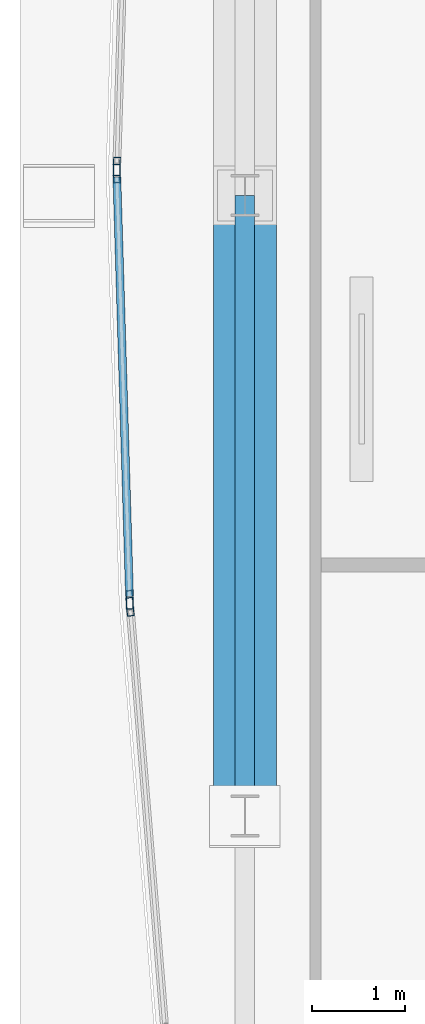
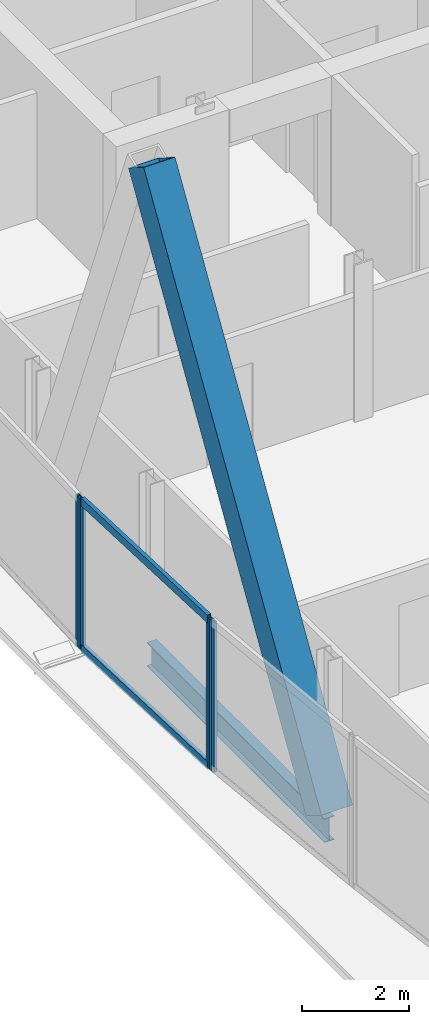
# One storey, part 8 of 28: 7 members, 1 beam, 3 elements without a shape of their own.
"""IFC4 building model written with IfcOpenShell, lengths in metres."""

from ifc_helpers import new_model, si_unit, direction, frame, origin, origin_2d, place, context, subcontext, project, spatial, hollow_rectangle, i_section, extrude, material, material_profile, profile_set, type_object, element, aggregate, save


model = new_model("IFC4")

# Units and contexts
model_context = context("Model", 3, precision=1e-05, world=origin(), true_north=direction((0.0, 1.0)))
body_context = subcontext(model_context, "Body", "Model", "MODEL_VIEW")
ifc_project = project(units=[si_unit("LENGTHUNIT", "METRE"), si_unit("AREAUNIT", "SQUARE_METRE"), si_unit("VOLUMEUNIT", "CUBIC_METRE"), si_unit("PLANEANGLEUNIT", "RADIAN"), si_unit("MASSUNIT", "GRAM", prefix="KILO")], contexts=[model_context])

# Site, building, storey
site_placement = place(None, origin())
site = spatial("IfcSite", under=ifc_project, at=site_placement, CompositionType="ELEMENT")
building_placement = place(site_placement, origin())
building = spatial("IfcBuilding", under=site, at=building_placement, Name="Khoronbel Lancet Exchange", CompositionType="ELEMENT")
storey_placement = place(building_placement, frame((0.0, 0.0, 291.39990234375)))
storey = spatial("IfcBuildingStorey", under=building, at=storey_placement, Name="L75", CompositionType="ELEMENT", Elevation=291.39990234375)

# Beam
ifc_material_1 = material(Name="Steel S355", Category="steel")
ifc_material_profile_1 = material_profile(ifc_material_1, i_section(OverallWidth=0.2099609375, OverallDepth=0.550048828125, WebThickness=0.010986328125, FlangeThickness=0.01708984375, at=origin_2d()), Name="IPE 550")
ifc_profile_set_1 = profile_set([ifc_material_profile_1], Name="Steel S355")
beam_type = type_object("IfcBeamType", Name="BM-BSP3", PredefinedType="SPANDREL", material=ifc_profile_set_1)
beam_placement = place(storey_placement, frame((11.27001953125, 31.425048828125, -0.434814453125), z_axis=(0.0, -1.0, 0.0), x_axis=(1.0, 0.0, 0.0)))
element("IfcBeam", 1, at=beam_placement, inside=storey, type_object=beam_type, Name="Level L75 perimeter spandrel beam SP17", PredefinedType="SPANDREL", context=body_context, shape_type="SweptSolid", body=[
    extrude(i_section(OverallWidth=0.2099609375, OverallDepth=0.550048828125, WebThickness=0.010986328125, FlangeThickness=0.01708984375, at=origin_2d()), origin(), (0.0, 0.0, 1.0), 6.675048828125),
])

# Curtain wall, member
ifc_material_2 = material(Name="Low-E Solar Control Insulating Glass", Category="glass")
curtain_wall_type = type_object("IfcCurtainWallType", Name="CW-4", PredefinedType="NOTDEFINED", material=ifc_material_2)
curtain_wall_1_placement = place(storey_placement, origin())
curtain_wall_1 = element("IfcCurtainWall", 2, at=curtain_wall_1_placement, inside=storey, type_object=curtain_wall_type, Name="Unitised curtain wall CW-L75-E05", PredefinedType="NOTDEFINED")
ifc_material_3 = material(Name="Bronze-Anodised Aluminium 6063-T6", Category="aluminium")
ifc_material_profile_2 = material_profile(ifc_material_3, hollow_rectangle(XDim=0.074951171875, YDim=0.199951171875, WallThickness=0.0048828125, at=origin_2d()), Name="ALU MULLION 75x200")
ifc_profile_set_2 = profile_set([ifc_material_profile_2], Name="Bronze-Anodised Aluminium 6063-T6")
member_type_1 = type_object("IfcMemberType", Name="MEM-CWM2", PredefinedType="MULLION", material=ifc_profile_set_2)
member_1_placement = place(storey_placement, frame((10.03369140625, 27.0009765625, 0.0), z_axis=(0.0, 0.0, 1.0), x_axis=(-0.996626353667, -0.082072596992, 0.0)))
member_1 = element("IfcMember", 3, at=member_1_placement, type_object=member_type_1, Name="CW4 mullion 2", PredefinedType="MULLION", context=body_context, shape_type="SweptSolid", body=[
    extrude(hollow_rectangle(XDim=0.074951171875, YDim=0.199951171875, WallThickness=0.0048828125, at=origin_2d()), origin(), (0.0, 0.0, 1.0), 3.440185546875),
])
aggregate(curtain_wall_1, [member_1])

# Curtain wall, members
curtain_wall_2_placement = place(storey_placement, origin())
curtain_wall_2 = element("IfcCurtainWall", 4, at=curtain_wall_2_placement, inside=storey, type_object=curtain_wall_type, Name="Unitised curtain wall CW-L75-E06", PredefinedType="NOTDEFINED")
member_2_placement = place(storey_placement, frame((10.029541015625, 27.075927734375, 0.0), z_axis=(0.0, 0.0, 1.0), x_axis=(-0.999545457549, -0.030147608411, 0.0)))
member_2 = element("IfcMember", 5, at=member_2_placement, type_object=member_type_1, Name="CW4 mullion 1", PredefinedType="MULLION", context=body_context, shape_type="SweptSolid", body=[
    extrude(hollow_rectangle(XDim=0.074951171875, YDim=0.199951171875, WallThickness=0.0048828125, at=origin_2d()), origin(), (0.0, 0.0, 1.0), 3.440185546875),
])
member_3_placement = place(storey_placement, frame((9.89111328125, 31.66259765625, 0.0), z_axis=(0.0, 0.0, 1.0), x_axis=(-0.999545457549, -0.030147608411, 0.0)))
member_3 = element("IfcMember", 6, at=member_3_placement, type_object=member_type_1, Name="CW4 mullion 2", PredefinedType="MULLION", context=body_context, shape_type="SweptSolid", body=[
    extrude(hollow_rectangle(XDim=0.074951171875, YDim=0.199951171875, WallThickness=0.0048828125, at=origin_2d()), origin(), (0.0, 0.0, 1.0), 3.440185546875),
])

# Curtain wall, member
curtain_wall_3_placement = place(storey_placement, origin())
curtain_wall_3 = element("IfcCurtainWall", 7, at=curtain_wall_3_placement, inside=storey, type_object=curtain_wall_type, Name="Unitised curtain wall CW-L75-E07", PredefinedType="NOTDEFINED")
member_4_placement = place(storey_placement, frame((9.89111328125, 31.737548828125, 0.0), z_axis=(0.0, 0.0, 1.0), x_axis=(-0.999545457549, 0.030147608411, 0.0)))
member_4 = element("IfcMember", 8, at=member_4_placement, type_object=member_type_1, Name="CW4 mullion 1", PredefinedType="MULLION", context=body_context, shape_type="SweptSolid", body=[
    extrude(hollow_rectangle(XDim=0.074951171875, YDim=0.199951171875, WallThickness=0.0048828125, at=origin_2d()), origin(), (0.0, 0.0, 1.0), 3.440185546875),
])
aggregate(curtain_wall_3, [member_4])

# Member
ifc_material_profile_3 = material_profile(ifc_material_3, hollow_rectangle(XDim=0.0849609375, YDim=0.179931640625, WallThickness=0.0048828125, at=origin_2d()), Name="ALU TRANSOM 85x180")
ifc_profile_set_3 = profile_set([ifc_material_profile_3], Name="Bronze-Anodised Aluminium 6063-T6")
member_type_2 = type_object("IfcMemberType", Name="MEM-CWT1", PredefinedType="USERDEFINED", material=ifc_profile_set_3)
member_5_placement = place(storey_placement, frame((10.0283203125, 27.11328125, 0.04248046875), z_axis=(-0.030127011135, 0.999546078578, 0.0), x_axis=(-0.999546078578, -0.030127011135, 0.0)))
member_5 = element("IfcMember", 9, at=member_5_placement, type_object=member_type_2, Name="CW4 transom 1.1", ObjectType="TRANSOM", PredefinedType="USERDEFINED", context=body_context, shape_type="SweptSolid", body=[
    extrude(hollow_rectangle(XDim=0.0849609375, YDim=0.179931640625, WallThickness=0.0048828125, at=origin_2d()), origin(), (0.0, 0.0, 1.0), 4.513671875),
])

member_6_placement = place(storey_placement, frame((10.0283203125, 27.11328125, 3.397705078125), z_axis=(-0.030127011135, 0.999546078578, 0.0), x_axis=(-0.999546078578, -0.030127011135, 0.0)))
member_6 = element("IfcMember", 10, at=member_6_placement, type_object=member_type_2, Name="CW4 transom 1.2", ObjectType="TRANSOM", PredefinedType="USERDEFINED", context=body_context, shape_type="SweptSolid", body=[
    extrude(hollow_rectangle(XDim=0.0849609375, YDim=0.179931640625, WallThickness=0.0048828125, at=origin_2d()), origin(), (0.0, 0.0, 1.0), 4.513671875),
])

aggregate(curtain_wall_2, [member_2, member_3, member_5, member_6])

ifc_material_4 = material(Name="Steel S460", Category="steel")
ifc_material_profile_4 = material_profile(ifc_material_4, hollow_rectangle(XDim=0.679931640625, YDim=0.679931640625, WallThickness=0.044921875, at=origin_2d()), Name="BOX 680x680x45")
ifc_profile_set_4 = profile_set([ifc_material_profile_4], Name="Steel S460")
member_type_3 = type_object("IfcMemberType", Name="MEM-MB3", PredefinedType="BRACE", material=ifc_profile_set_4)
member_7_placement = place(storey_placement, frame((11.27001953125, 24.75, 0.0), z_axis=(0.0, 0.525745449971, 0.850641946906), x_axis=(-1.0, 0.0, 0.0)))
element("IfcMember", 11, at=member_7_placement, inside=storey, type_object=member_type_3, Name="Perimeter lancet brace tier 26 W-P-L", PredefinedType="BRACE", context=body_context, shape_type="SweptSolid", body=[
    extrude(hollow_rectangle(XDim=0.679931640625, YDim=0.679931640625, WallThickness=0.044921875, at=origin_2d()), origin(), (0.0, 0.0, 1.0), 12.6962890625),
])

save(model, "model.ifc")
